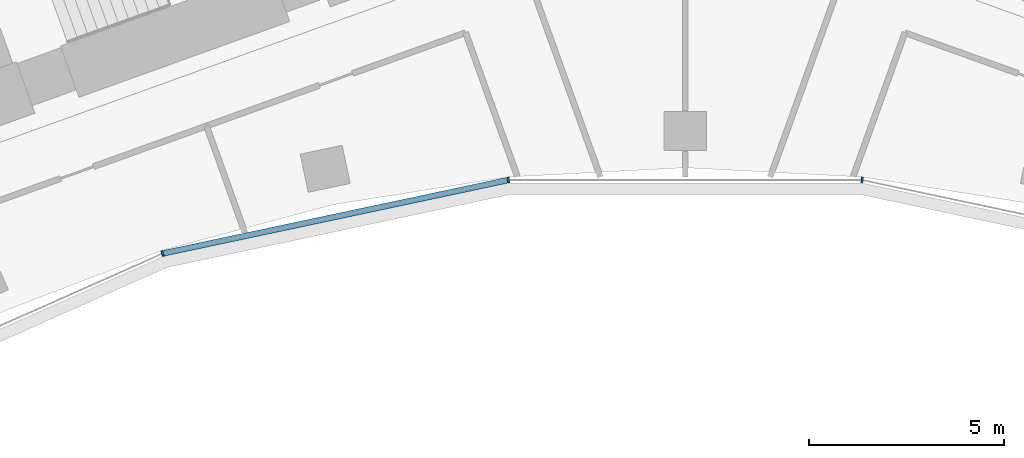
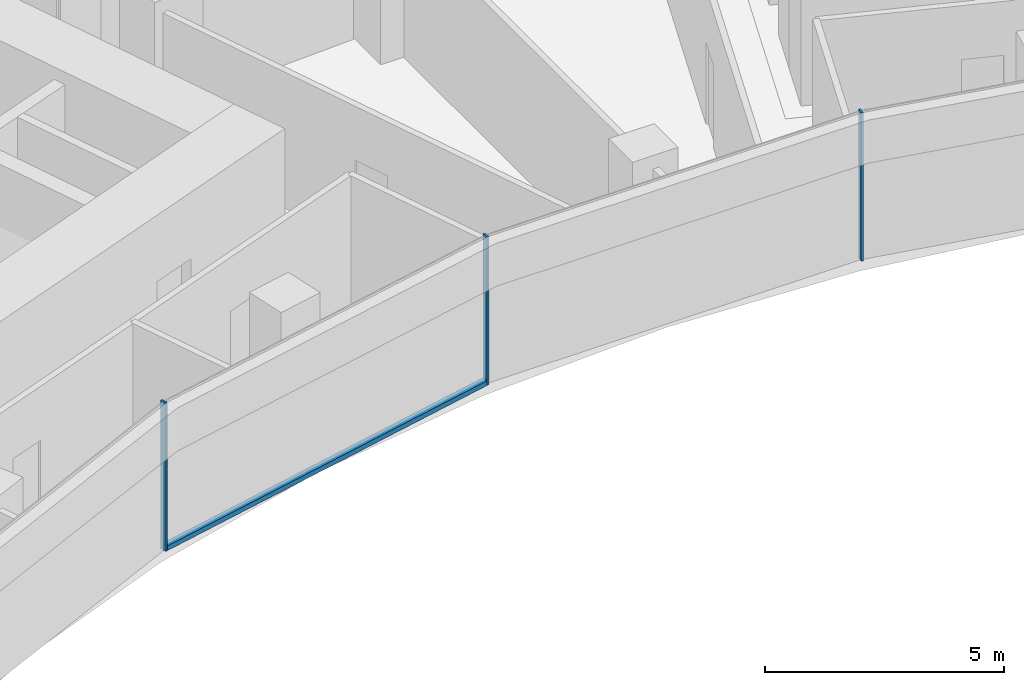
# One storey, part 5 of 23: 4 members, 1 element without a shape of its own.
"""IFC4 building model written with IfcOpenShell, lengths in metres."""

from ifc_helpers import new_model, si_unit, direction, frame, origin, origin_2d, place, context, subcontext, project, spatial, rectangle, extrude, material, layer, layer_set, material_profile, profile_set, type_object, element, aggregate, save


model = new_model("IFC4")

# Units and contexts
model_context = context("Model", 3, precision=1e-05, world=origin(), true_north=direction((0.0, 1.0)))
body_context = subcontext(model_context, "Body", "Model", "MODEL_VIEW")
ifc_project = project(units=[si_unit("LENGTHUNIT", "METRE"), si_unit("AREAUNIT", "SQUARE_METRE"), si_unit("VOLUMEUNIT", "CUBIC_METRE"), si_unit("PLANEANGLEUNIT", "RADIAN"), si_unit("MASSUNIT", "GRAM", prefix="KILO")], contexts=[model_context])

# Site, building, storey
site_placement = place(None, origin())
site = spatial("IfcSite", under=ifc_project, at=site_placement, CompositionType="ELEMENT")
building_placement = place(site_placement, origin())
building = spatial("IfcBuilding", under=site, at=building_placement, Name="Stone Belt Terrace Tower", CompositionType="ELEMENT")
storey_placement = place(building_placement, frame((0.0, 0.0, 144.0)))
storey = spatial("IfcBuildingStorey", under=building, at=storey_placement, Name="L34", CompositionType="ELEMENT", Elevation=144.0)

# Curtain wall, members
ifc_material = material(Name="Aluminium 6063-T6 anodised frame", Category="aluminium")
ifc_layer = layer(ifc_material, 0.14990234375)
ifc_layer_set = layer_set([ifc_layer], Name="CW-B unitised concave-face curtain wall")
curtain_wall_type = type_object("IfcCurtainWallType", Name="CW-B unitised concave-face curtain wall", PredefinedType="NOTDEFINED", material=ifc_layer_set)
curtain_wall_placement = place(storey_placement, origin())
curtain_wall = element("IfcCurtainWall", 1, at=curtain_wall_placement, inside=storey, type_object=curtain_wall_type, Name="CW-B concave face L34", PredefinedType="NOTDEFINED")
ifc_material_profile_1 = material_profile(ifc_material, rectangle(XDim=0.14990234375, YDim=0.050048828125, at=origin_2d()), Name="Aluminium 6063-T6 50x150")
ifc_profile_set_1 = profile_set([ifc_material_profile_1], Name="Aluminium 6063-T6 anodised frame")
member_type_1 = type_object("IfcMemberType", Name="CW-B mullion 50 x 150", PredefinedType="MULLION", material=ifc_profile_set_1)
member_1_placement = place(storey_placement, frame((-13.4189453125, 41.29931640625, 0.0), z_axis=(0.0, 0.0, 1.0), x_axis=(-0.309016994375, 0.951056516295, 0.0)))
member_1 = element("IfcMember", 2, at=member_1_placement, type_object=member_type_1, Name="CW-B mullion 4", PredefinedType="MULLION", context=body_context, shape_type="SweptSolid", body=[
    extrude(rectangle(XDim=0.14990234375, YDim=0.050048828125, at=origin_2d()), origin(), (0.0, 0.0, 1.0), 3.800048828125),
])
member_2_placement = place(storey_placement, frame((-4.5390625, 43.186767578125, 0.0), z_axis=(0.0, 0.0, 1.0), x_axis=(-0.104528463268, 0.994521895368, 0.0)))
member_2 = element("IfcMember", 3, at=member_2_placement, type_object=member_type_1, Name="CW-B mullion 5", PredefinedType="MULLION", context=body_context, shape_type="SweptSolid", body=[
    extrude(rectangle(XDim=0.14990234375, YDim=0.050048828125, at=origin_2d()), origin(), (0.0, 0.0, 1.0), 3.800048828125),
])
member_3_placement = place(storey_placement, frame((4.5390625, 43.186767578125, 0.0), z_axis=(0.0, 0.0, 1.0), x_axis=(0.104528463268, 0.994521895368, 0.0)))
member_3 = element("IfcMember", 4, at=member_3_placement, type_object=member_type_1, Name="CW-B mullion 6", PredefinedType="MULLION", context=body_context, shape_type="SweptSolid", body=[
    extrude(rectangle(XDim=0.14990234375, YDim=0.050048828125, at=origin_2d()), origin(), (0.0, 0.0, 1.0), 3.800048828125),
])
ifc_material_profile_2 = material_profile(ifc_material, rectangle(XDim=0.14990234375, YDim=0.1201171875, at=origin_2d()), Name="Aluminium 6063-T6 150x120")
ifc_profile_set_2 = profile_set([ifc_material_profile_2], Name="Aluminium 6063-T6 anodised frame")
member_type_2 = type_object("IfcMemberType", Name="CW-B transom 120 x 150", PredefinedType="USERDEFINED", material=ifc_profile_set_2)
member_4_placement = place(storey_placement, frame((-13.386962890625, 41.30615234375, 0.06005859375), z_axis=(0.9781499003, 0.207900871914, 0.0), x_axis=(-0.207900871914, 0.9781499003, 0.0)))
member_4 = element("IfcMember", 5, at=member_4_placement, type_object=member_type_2, Name="CW-B transom 4.1", ObjectType="TRANSOM", PredefinedType="USERDEFINED", context=body_context, shape_type="SweptSolid", body=[
    extrude(rectangle(XDim=0.14990234375, YDim=0.1201171875, at=origin_2d()), origin(), (0.0, 0.0, 1.0), 9.012939453125),
])
aggregate(curtain_wall, [member_1, member_2, member_3, member_4])

save(model, "model.ifc")
